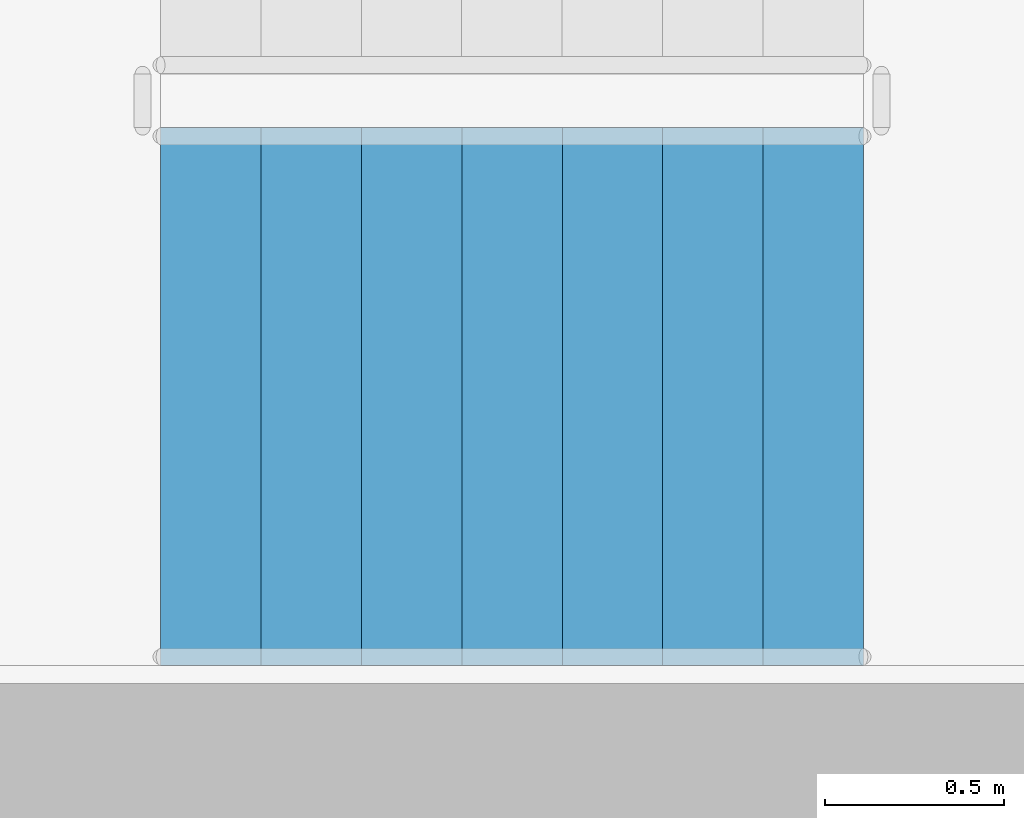
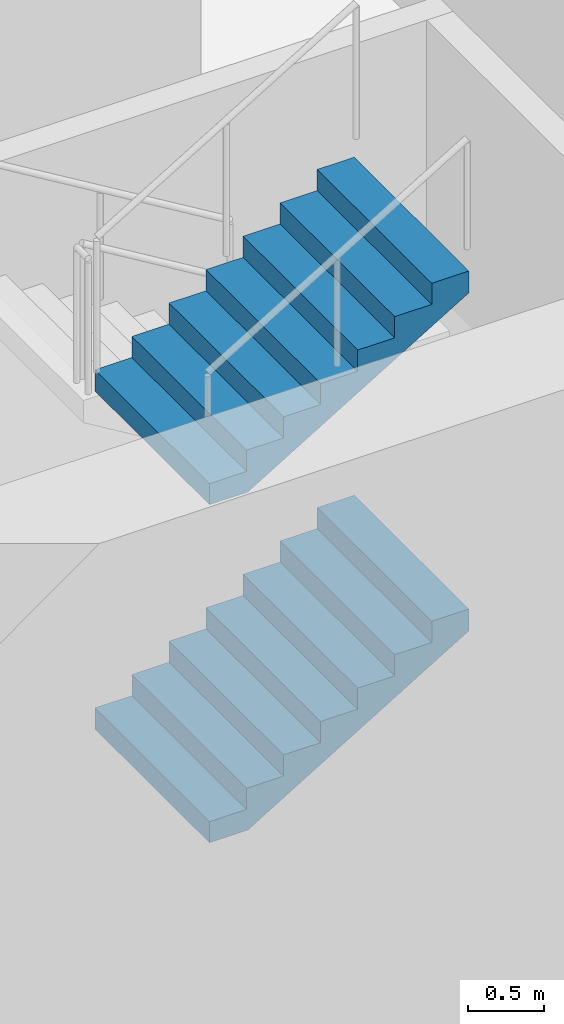
# One storey, part 57 of 101: 2 stair flights, 1 element without a shape of its own.
"""IFC4 building model written with IfcOpenShell, lengths in metres."""

from ifc_helpers import new_model, si_unit, direction, frame, origin, place, context, subcontext, project, spatial, triangles, material, type_object, element, aggregate, save


model = new_model("IFC4")

# Units and contexts
model_context = context("Model", 3, precision=1e-05, world=origin(), true_north=direction((0.0, 1.0)))
body_context = subcontext(model_context, "Body", "Model", "MODEL_VIEW")
ifc_project = project(units=[si_unit("LENGTHUNIT", "METRE"), si_unit("AREAUNIT", "SQUARE_METRE"), si_unit("VOLUMEUNIT", "CUBIC_METRE"), si_unit("PLANEANGLEUNIT", "RADIAN"), si_unit("MASSUNIT", "GRAM", prefix="KILO")], contexts=[model_context])

# Site, building, storey
site_placement = place(None, origin())
site = spatial("IfcSite", under=ifc_project, at=site_placement, CompositionType="ELEMENT")
building_placement = place(site_placement, origin())
building = spatial("IfcBuilding", under=site, at=building_placement, Name="Magnolia Steps Interchange", CompositionType="ELEMENT")
storey_placement = place(building_placement, frame((0.0, 0.0, -5.39990234375)))
storey = spatial("IfcBuildingStorey", under=building, at=storey_placement, Name="B1", CompositionType="ELEMENT", Elevation=-5.39990234375)

# Stair, stair flights
ifc_material_1 = material(Name="Concrete C40", Category="concrete")
stair_type = type_object("IfcStairType", Name="Exit stair 1500", PredefinedType="HALF_TURN_STAIR", material=ifc_material_1)
stair_placement = place(storey_placement, origin())
stair = element("IfcStair", 1, at=stair_placement, inside=storey, type_object=stair_type, Name="B1 Stair 1", PredefinedType="HALF_TURN_STAIR")
ifc_material_2 = material(Name="Concrete C40", Category="concrete")
stair_flight_type = type_object("IfcStairFlightType", Name="Exit stair flight", PredefinedType="STRAIGHT", material=ifc_material_2)
stair_flight_1_placement = place(storey_placement, frame((57.0400390625, 76.050048828125, 1.349853515625), z_axis=(0.0, 0.0, 1.0), x_axis=(1.0, 0.0, 0.0)))
stair_flight_1 = element("IfcStairFlight", 2, at=stair_flight_1_placement, type_object=stair_flight_type, Name="Stair 1 flight 2", NumberOfRisers=8, NumberOfTreads=7, PredefinedType="STRAIGHT", RiserHeight=0.16875, TreadLength=0.28, context=body_context, shape_type="Tessellation", body=[
    triangles([(0.0, -0.75, 0.0), (0.29052734375, -0.75, 0.0), (1.9599609375, -0.75, 1.00634765625), (1.9599609375, -0.75, 1.18115234375), (1.679931640625, -0.75, 1.18115234375), (1.679931640625, -0.75, 1.012451171875), (1.39990234375, -0.75, 1.012451171875), (1.39990234375, -0.75, 0.84375), (1.1201171875, -0.75, 0.84375), (1.1201171875, -0.75, 0.675048828125), (0.840087890625, -0.75, 0.675048828125), (0.840087890625, -0.75, 0.50634765625), (0.56005859375, -0.75, 0.50634765625), (0.56005859375, -0.75, 0.33740234375), (0.280029296875, -0.75, 0.33740234375), (0.280029296875, -0.75, 0.168701171875), (0.0, -0.75, 0.168701171875), (0.0, 0.75, 0.0), (0.29052734375, 0.75, 0.0), (1.9599609375, 0.75, 1.00634765625), (1.9599609375, 0.75, 1.18115234375), (1.679931640625, 0.75, 1.18115234375), (1.679931640625, 0.75, 1.012451171875), (1.39990234375, 0.75, 1.012451171875), (1.39990234375, 0.75, 0.84375), (1.1201171875, 0.75, 0.84375), (1.1201171875, 0.75, 0.675048828125), (0.840087890625, 0.75, 0.675048828125), (0.840087890625, 0.75, 0.50634765625), (0.56005859375, 0.75, 0.50634765625), (0.56005859375, 0.75, 0.33740234375), (0.280029296875, 0.75, 0.33740234375), (0.280029296875, 0.75, 0.168701171875), (0.0, 0.75, 0.168701171875), (0.0, 0.0, 0.0), (0.0, 0.0, 0.04217529296875), (0.0, 0.0, 0.0843505859375), (0.0, 0.0, 0.12652587890625), (0.0, 0.0, 0.168701171875), (0.0, -0.05, 0.0), (0.0, -0.05, 0.168701171875), (0.0, 0.05, 0.0), (0.0, 0.05, 0.168701171875), (0.046671549479166664, 0.0, 0.168701171875), (0.09334309895833333, 0.0, 0.168701171875), (0.1400146484375, 0.0, 0.168701171875), (0.18668619791666666, 0.0, 0.168701171875), (0.23335774739583334, 0.0, 0.168701171875), (0.280029296875, 0.0, 0.168701171875), (0.280029296875, -0.05, 0.168701171875), (0.280029296875, 0.05, 0.168701171875), (0.280029296875, 0.0, 0.21087646484375), (0.280029296875, 0.0, 0.2530517578125), (0.280029296875, 0.0, 0.29522705078125), (0.280029296875, 0.0, 0.33740234375), (0.280029296875, -0.05, 0.33740234375), (0.280029296875, 0.05, 0.33740234375), (0.3267008463541667, 0.0, 0.33740234375), (0.3733723958333333, 0.0, 0.33740234375), (0.4200439453125, 0.0, 0.33740234375), (0.46671549479166663, 0.0, 0.33740234375), (0.5133870442708334, 0.0, 0.33740234375), (0.56005859375, 0.0, 0.33740234375), (0.56005859375, -0.05, 0.33740234375), (0.56005859375, 0.05, 0.33740234375), (0.56005859375, 0.0, 0.379638671875), (0.56005859375, 0.0, 0.421875), (0.56005859375, 0.0, 0.464111328125), (0.56005859375, 0.0, 0.50634765625), (0.56005859375, -0.05, 0.50634765625), (0.56005859375, 0.05, 0.50634765625), (0.6067301432291666, 0.0, 0.50634765625), (0.6534016927083334, 0.0, 0.50634765625), (0.7000732421875, 0.0, 0.50634765625), (0.7467447916666666, 0.0, 0.50634765625), (0.7934163411458334, 0.0, 0.50634765625), (0.840087890625, 0.0, 0.50634765625), (0.840087890625, -0.05, 0.50634765625), (0.840087890625, 0.05, 0.50634765625), (0.840087890625, 0.0, 0.54852294921875), (0.840087890625, 0.0, 0.5906982421875), (0.840087890625, 0.0, 0.63287353515625), (0.840087890625, 0.0, 0.675048828125), (0.840087890625, -0.05, 0.675048828125), (0.840087890625, 0.05, 0.675048828125), (0.8867594401041666, 0.0, 0.675048828125), (0.9334309895833334, 0.0, 0.675048828125), (0.9801025390625, 0.0, 0.675048828125), (1.0267740885416667, 0.0, 0.675048828125), (1.0734456380208333, 0.0, 0.675048828125), (1.1201171875, 0.0, 0.675048828125), (1.1201171875, -0.05, 0.675048828125), (1.1201171875, 0.05, 0.675048828125), (1.1201171875, 0.0, 0.71722412109375), (1.1201171875, 0.0, 0.7593994140625), (1.1201171875, 0.0, 0.80157470703125), (1.1201171875, 0.0, 0.84375), (1.1201171875, -0.05, 0.84375), (1.1201171875, 0.05, 0.84375), (1.1900634765625, 0.0, 0.84375), (1.260009765625, 0.0, 0.84375), (1.3299560546875, 0.0, 0.84375), (1.39990234375, 0.0, 0.84375), (1.39990234375, -0.05, 0.84375), (1.39990234375, 0.05, 0.84375), (1.39990234375, 0.0, 0.88592529296875), (1.39990234375, 0.0, 0.9281005859375), (1.39990234375, 0.0, 0.97027587890625), (1.39990234375, 0.0, 1.012451171875), (1.39990234375, -0.05, 1.012451171875), (1.39990234375, 0.05, 1.012451171875), (1.4465738932291667, 0.0, 1.012451171875), (1.4932454427083333, 0.0, 1.012451171875), (1.5399169921875, 0.0, 1.012451171875), (1.5865885416666667, 0.0, 1.012451171875), (1.6332600911458333, 0.0, 1.012451171875), (1.679931640625, 0.0, 1.012451171875), (1.679931640625, -0.05, 1.012451171875), (1.679931640625, 0.05, 1.012451171875), (1.679931640625, 0.0, 1.05462646484375), (1.679931640625, 0.0, 1.0968017578125), (1.679931640625, 0.0, 1.13897705078125), (1.679931640625, 0.0, 1.18115234375), (1.679931640625, -0.05, 1.18115234375), (1.679931640625, 0.05, 1.18115234375), (1.7266031901041667, 0.0, 1.18115234375), (1.7732747395833333, 0.0, 1.18115234375), (1.8199462890625, 0.0, 1.18115234375), (1.8666178385416667, 0.0, 1.18115234375), (1.9132893880208333, 0.0, 1.18115234375), (1.9599609375, 0.0, 1.18115234375), (1.9599609375, -0.05, 1.18115234375), (1.9599609375, 0.05, 1.18115234375), (1.9599609375, 0.0, 1.137451171875), (1.9599609375, 0.0, 1.09375), (1.9599609375, 0.0, 1.050048828125), (1.9599609375, 0.0, 1.00634765625), (1.9599609375, -0.05, 1.00634765625), (1.9599609375, 0.05, 1.00634765625), (1.9003383091517858, 0.0, 0.9704066685267857), (1.8407156808035714, 0.0, 0.9344656808035714), (1.7810930524553572, 0.0, 0.8985246930803571), (1.7214704241071428, 0.0, 0.8625837053571428), (1.6618477957589286, 0.0, 0.8266427176339286), (1.6022251674107144, 0.0, 0.7907017299107143), (1.5426025390625, 0.0, 0.7547607421875), (1.4829799107142856, 0.0, 0.7188197544642857), (1.4233572823660714, 0.0, 0.6828787667410714), (1.3637346540178572, 0.0, 0.6469377790178572), (1.3041120256696428, 0.0, 0.6109967912946428), (1.2444893973214286, 0.0, 0.5750558035714286), (1.1848667689732144, 0.0, 0.5391148158482143), (1.125244140625, 0.0, 0.503173828125), (1.0656215122767856, 0.0, 0.4672328404017857), (1.0059988839285714, 0.0, 0.4312918526785714), (0.9463762555803572, 0.0, 0.3953508649553571), (0.8867536272321428, 0.0, 0.3594098772321429), (0.8271309988839286, 0.0, 0.3234688895089286), (0.7675083705357142, 0.0, 0.2875279017857143), (0.7078857421875, 0.0, 0.2515869140625), (0.6482631138392858, 0.0, 0.2156459263392857), (0.5886404854910714, 0.0, 0.1797049386160714), (0.5290178571428572, 0.0, 0.1437639508928571), (0.4693952287946428, 0.0, 0.1078229631696429), (0.4097726004464286, 0.0, 0.0718819754464286), (0.3501499720982142, 0.0, 0.0359409877232143), (0.29052734375, 0.0, 0.0), (0.29052734375, -0.05, 0.0), (0.29052734375, 0.05, 0.0), (0.24210611979166666, 0.0, 0.0), (0.19368489583333331, 0.0, 0.0), (0.145263671875, 0.0, 0.0), (0.09684244791666666, 0.0, 0.0), (0.04842122395833334, 0.0, 0.0)], [[1, 2, 3], [3, 4, 5], [3, 5, 6], [3, 6, 7], [3, 7, 8], [8, 9, 10], [3, 8, 10], [10, 11, 12], [3, 10, 12], [12, 13, 14], [3, 12, 14], [14, 15, 16], [3, 14, 16], [1, 3, 16], [16, 17, 1], [18, 20, 19], [20, 22, 21], [20, 23, 22], [20, 24, 23], [20, 25, 24], [25, 27, 26], [20, 27, 25], [27, 29, 28], [20, 29, 27], [29, 31, 30], [20, 31, 29], [31, 33, 32], [20, 33, 31], [18, 33, 20], [33, 18, 34], [1, 17, 41], [1, 41, 40], [40, 36, 35], [40, 37, 36], [40, 41, 37], [41, 38, 37], [41, 39, 38], [18, 43, 34], [18, 42, 43], [42, 35, 36], [42, 36, 37], [42, 37, 43], [43, 37, 38], [43, 38, 39], [17, 16, 50], [17, 50, 41], [41, 44, 39], [41, 45, 44], [41, 46, 45], [41, 50, 46], [50, 47, 46], [50, 48, 47], [50, 49, 48], [34, 51, 33], [34, 43, 51], [43, 39, 44], [43, 44, 45], [43, 45, 46], [43, 46, 51], [51, 46, 47], [51, 47, 48], [51, 48, 49], [16, 15, 56], [16, 56, 50], [50, 52, 49], [50, 53, 52], [50, 56, 53], [56, 54, 53], [56, 55, 54], [33, 57, 32], [33, 51, 57], [51, 49, 52], [51, 52, 53], [51, 53, 57], [57, 53, 54], [57, 54, 55], [15, 14, 64], [15, 64, 56], [56, 58, 55], [56, 59, 58], [56, 60, 59], [56, 64, 60], [64, 61, 60], [64, 62, 61], [64, 63, 62], [32, 65, 31], [32, 57, 65], [57, 55, 58], [57, 58, 59], [57, 59, 60], [57, 60, 65], [65, 60, 61], [65, 61, 62], [65, 62, 63], [14, 13, 70], [14, 70, 64], [64, 66, 63], [64, 67, 66], [64, 70, 67], [70, 68, 67], [70, 69, 68], [31, 71, 30], [31, 65, 71], [65, 63, 66], [65, 66, 67], [65, 67, 71], [71, 67, 68], [71, 68, 69], [13, 12, 78], [13, 78, 70], [70, 72, 69], [70, 73, 72], [70, 74, 73], [70, 78, 74], [78, 75, 74], [78, 76, 75], [78, 77, 76], [30, 79, 29], [30, 71, 79], [71, 69, 72], [71, 72, 73], [71, 73, 74], [71, 74, 79], [79, 74, 75], [79, 75, 76], [79, 76, 77], [12, 11, 84], [12, 84, 78], [78, 80, 77], [78, 81, 80], [78, 84, 81], [84, 82, 81], [84, 83, 82], [29, 85, 28], [29, 79, 85], [79, 77, 80], [79, 80, 81], [79, 81, 85], [85, 81, 82], [85, 82, 83], [11, 10, 92], [11, 92, 84], [84, 86, 83], [84, 87, 86], [84, 88, 87], [84, 92, 88], [92, 89, 88], [92, 90, 89], [92, 91, 90], [28, 93, 27], [28, 85, 93], [85, 83, 86], [85, 86, 87], [85, 87, 88], [85, 88, 93], [93, 88, 89], [93, 89, 90], [93, 90, 91], [10, 9, 98], [10, 98, 92], [92, 94, 91], [92, 95, 94], [92, 98, 95], [98, 96, 95], [98, 97, 96], [27, 99, 26], [27, 93, 99], [93, 91, 94], [93, 94, 95], [93, 95, 99], [99, 95, 96], [99, 96, 97], [9, 8, 104], [9, 104, 98], [98, 100, 97], [98, 101, 100], [98, 104, 101], [104, 102, 101], [104, 103, 102], [26, 105, 25], [26, 99, 105], [99, 97, 100], [99, 100, 101], [99, 101, 105], [105, 101, 102], [105, 102, 103], [8, 7, 110], [8, 110, 104], [104, 106, 103], [104, 107, 106], [104, 110, 107], [110, 108, 107], [110, 109, 108], [25, 111, 24], [25, 105, 111], [105, 103, 106], [105, 106, 107], [105, 107, 111], [111, 107, 108], [111, 108, 109], [7, 6, 118], [7, 118, 110], [110, 112, 109], [110, 113, 112], [110, 114, 113], [110, 118, 114], [118, 115, 114], [118, 116, 115], [118, 117, 116], [24, 119, 23], [24, 111, 119], [111, 109, 112], [111, 112, 113], [111, 113, 114], [111, 114, 119], [119, 114, 115], [119, 115, 116], [119, 116, 117], [6, 5, 124], [6, 124, 118], [118, 120, 117], [118, 121, 120], [118, 124, 121], [124, 122, 121], [124, 123, 122], [23, 125, 22], [23, 119, 125], [119, 117, 120], [119, 120, 121], [119, 121, 125], [125, 121, 122], [125, 122, 123], [5, 4, 132], [5, 132, 124], [124, 126, 123], [124, 127, 126], [124, 128, 127], [124, 132, 128], [132, 129, 128], [132, 130, 129], [132, 131, 130], [22, 133, 21], [22, 125, 133], [125, 123, 126], [125, 126, 127], [125, 127, 128], [125, 128, 133], [133, 128, 129], [133, 129, 130], [133, 130, 131], [4, 3, 138], [4, 138, 132], [132, 134, 131], [132, 135, 134], [132, 138, 135], [138, 136, 135], [138, 137, 136], [21, 139, 20], [21, 133, 139], [133, 131, 134], [133, 134, 135], [133, 135, 139], [139, 135, 136], [139, 136, 137], [3, 2, 168], [3, 168, 138], [138, 140, 137], [138, 141, 140], [138, 142, 141], [138, 143, 142], [138, 144, 143], [138, 145, 144], [138, 146, 145], [138, 147, 146], [138, 148, 147], [138, 149, 148], [138, 150, 149], [138, 151, 150], [138, 152, 151], [138, 153, 152], [138, 168, 153], [168, 154, 153], [168, 155, 154], [168, 156, 155], [168, 157, 156], [168, 158, 157], [168, 159, 158], [168, 160, 159], [168, 161, 160], [168, 162, 161], [168, 163, 162], [168, 164, 163], [168, 165, 164], [168, 166, 165], [168, 167, 166], [20, 169, 19], [20, 139, 169], [139, 137, 140], [139, 140, 141], [139, 141, 142], [139, 142, 143], [139, 143, 144], [139, 144, 145], [139, 145, 146], [139, 146, 147], [139, 147, 148], [139, 148, 149], [139, 149, 150], [139, 150, 151], [139, 151, 152], [139, 152, 153], [139, 153, 169], [169, 153, 154], [169, 154, 155], [169, 155, 156], [169, 156, 157], [169, 157, 158], [169, 158, 159], [169, 159, 160], [169, 160, 161], [169, 161, 162], [169, 162, 163], [169, 163, 164], [169, 164, 165], [169, 165, 166], [169, 166, 167], [2, 1, 40], [2, 40, 168], [168, 170, 167], [168, 171, 170], [168, 172, 171], [168, 40, 172], [40, 173, 172], [40, 174, 173], [40, 35, 174], [19, 42, 18], [19, 169, 42], [169, 167, 170], [169, 170, 171], [169, 171, 172], [169, 172, 42], [42, 172, 173], [42, 173, 174], [42, 174, 35]], closed=True),
])
stair_flight_2_placement = place(storey_placement, frame((57.0400390625, 76.050048828125, 4.0498046875), z_axis=(0.0, 0.0, 1.0), x_axis=(1.0, 0.0, 0.0)))
stair_flight_2 = element("IfcStairFlight", 3, at=stair_flight_2_placement, type_object=stair_flight_type, Name="Stair 1 flight 4", NumberOfRisers=8, NumberOfTreads=7, PredefinedType="STRAIGHT", RiserHeight=0.16875, TreadLength=0.28, context=body_context, shape_type="Tessellation", body=[
    triangles([(0.0, -0.75, 0.0), (0.29052734375, -0.75, 0.0), (1.9599609375, -0.75, 1.00634765625), (1.9599609375, -0.75, 1.18115234375), (1.679931640625, -0.75, 1.18115234375), (1.679931640625, -0.75, 1.012451171875), (1.39990234375, -0.75, 1.012451171875), (1.39990234375, -0.75, 0.84375), (1.1201171875, -0.75, 0.84375), (1.1201171875, -0.75, 0.675048828125), (0.840087890625, -0.75, 0.675048828125), (0.840087890625, -0.75, 0.50634765625), (0.56005859375, -0.75, 0.50634765625), (0.56005859375, -0.75, 0.33740234375), (0.280029296875, -0.75, 0.33740234375), (0.280029296875, -0.75, 0.168701171875), (0.0, -0.75, 0.168701171875), (0.0, 0.75, 0.0), (0.29052734375, 0.75, 0.0), (1.9599609375, 0.75, 1.00634765625), (1.9599609375, 0.75, 1.18115234375), (1.679931640625, 0.75, 1.18115234375), (1.679931640625, 0.75, 1.012451171875), (1.39990234375, 0.75, 1.012451171875), (1.39990234375, 0.75, 0.84375), (1.1201171875, 0.75, 0.84375), (1.1201171875, 0.75, 0.675048828125), (0.840087890625, 0.75, 0.675048828125), (0.840087890625, 0.75, 0.50634765625), (0.56005859375, 0.75, 0.50634765625), (0.56005859375, 0.75, 0.33740234375), (0.280029296875, 0.75, 0.33740234375), (0.280029296875, 0.75, 0.168701171875), (0.0, 0.75, 0.168701171875), (0.0, 0.0, 0.0), (0.0, 0.0, 0.04217529296875), (0.0, 0.0, 0.0843505859375), (0.0, 0.0, 0.12652587890625), (0.0, 0.0, 0.168701171875), (0.0, -0.05, 0.0), (0.0, -0.05, 0.168701171875), (0.0, 0.05, 0.0), (0.0, 0.05, 0.168701171875), (0.046671549479166664, 0.0, 0.168701171875), (0.09334309895833333, 0.0, 0.168701171875), (0.1400146484375, 0.0, 0.168701171875), (0.18668619791666666, 0.0, 0.168701171875), (0.23335774739583334, 0.0, 0.168701171875), (0.280029296875, 0.0, 0.168701171875), (0.280029296875, -0.05, 0.168701171875), (0.280029296875, 0.05, 0.168701171875), (0.280029296875, 0.0, 0.21087646484375), (0.280029296875, 0.0, 0.2530517578125), (0.280029296875, 0.0, 0.29522705078125), (0.280029296875, 0.0, 0.33740234375), (0.280029296875, -0.05, 0.33740234375), (0.280029296875, 0.05, 0.33740234375), (0.3267008463541667, 0.0, 0.33740234375), (0.3733723958333333, 0.0, 0.33740234375), (0.4200439453125, 0.0, 0.33740234375), (0.46671549479166663, 0.0, 0.33740234375), (0.5133870442708334, 0.0, 0.33740234375), (0.56005859375, 0.0, 0.33740234375), (0.56005859375, -0.05, 0.33740234375), (0.56005859375, 0.05, 0.33740234375), (0.56005859375, 0.0, 0.379638671875), (0.56005859375, 0.0, 0.421875), (0.56005859375, 0.0, 0.464111328125), (0.56005859375, 0.0, 0.50634765625), (0.56005859375, -0.05, 0.50634765625), (0.56005859375, 0.05, 0.50634765625), (0.6067301432291666, 0.0, 0.50634765625), (0.6534016927083334, 0.0, 0.50634765625), (0.7000732421875, 0.0, 0.50634765625), (0.7467447916666666, 0.0, 0.50634765625), (0.7934163411458334, 0.0, 0.50634765625), (0.840087890625, 0.0, 0.50634765625), (0.840087890625, -0.05, 0.50634765625), (0.840087890625, 0.05, 0.50634765625), (0.840087890625, 0.0, 0.54852294921875), (0.840087890625, 0.0, 0.5906982421875), (0.840087890625, 0.0, 0.63287353515625), (0.840087890625, 0.0, 0.675048828125), (0.840087890625, -0.05, 0.675048828125), (0.840087890625, 0.05, 0.675048828125), (0.8867594401041666, 0.0, 0.675048828125), (0.9334309895833334, 0.0, 0.675048828125), (0.9801025390625, 0.0, 0.675048828125), (1.0267740885416667, 0.0, 0.675048828125), (1.0734456380208333, 0.0, 0.675048828125), (1.1201171875, 0.0, 0.675048828125), (1.1201171875, -0.05, 0.675048828125), (1.1201171875, 0.05, 0.675048828125), (1.1201171875, 0.0, 0.71722412109375), (1.1201171875, 0.0, 0.7593994140625), (1.1201171875, 0.0, 0.80157470703125), (1.1201171875, 0.0, 0.84375), (1.1201171875, -0.05, 0.84375), (1.1201171875, 0.05, 0.84375), (1.1900634765625, 0.0, 0.84375), (1.260009765625, 0.0, 0.84375), (1.3299560546875, 0.0, 0.84375), (1.39990234375, 0.0, 0.84375), (1.39990234375, -0.05, 0.84375), (1.39990234375, 0.05, 0.84375), (1.39990234375, 0.0, 0.88592529296875), (1.39990234375, 0.0, 0.9281005859375), (1.39990234375, 0.0, 0.97027587890625), (1.39990234375, 0.0, 1.012451171875), (1.39990234375, -0.05, 1.012451171875), (1.39990234375, 0.05, 1.012451171875), (1.4465738932291667, 0.0, 1.012451171875), (1.4932454427083333, 0.0, 1.012451171875), (1.5399169921875, 0.0, 1.012451171875), (1.5865885416666667, 0.0, 1.012451171875), (1.6332600911458333, 0.0, 1.012451171875), (1.679931640625, 0.0, 1.012451171875), (1.679931640625, -0.05, 1.012451171875), (1.679931640625, 0.05, 1.012451171875), (1.679931640625, 0.0, 1.05462646484375), (1.679931640625, 0.0, 1.0968017578125), (1.679931640625, 0.0, 1.13897705078125), (1.679931640625, 0.0, 1.18115234375), (1.679931640625, -0.05, 1.18115234375), (1.679931640625, 0.05, 1.18115234375), (1.7266031901041667, 0.0, 1.18115234375), (1.7732747395833333, 0.0, 1.18115234375), (1.8199462890625, 0.0, 1.18115234375), (1.8666178385416667, 0.0, 1.18115234375), (1.9132893880208333, 0.0, 1.18115234375), (1.9599609375, 0.0, 1.18115234375), (1.9599609375, -0.05, 1.18115234375), (1.9599609375, 0.05, 1.18115234375), (1.9599609375, 0.0, 1.137451171875), (1.9599609375, 0.0, 1.09375), (1.9599609375, 0.0, 1.050048828125), (1.9599609375, 0.0, 1.00634765625), (1.9599609375, -0.05, 1.00634765625), (1.9599609375, 0.05, 1.00634765625), (1.9003383091517858, 0.0, 0.9704066685267857), (1.8407156808035714, 0.0, 0.9344656808035714), (1.7810930524553572, 0.0, 0.8985246930803571), (1.7214704241071428, 0.0, 0.8625837053571428), (1.6618477957589286, 0.0, 0.8266427176339286), (1.6022251674107144, 0.0, 0.7907017299107143), (1.5426025390625, 0.0, 0.7547607421875), (1.4829799107142856, 0.0, 0.7188197544642857), (1.4233572823660714, 0.0, 0.6828787667410714), (1.3637346540178572, 0.0, 0.6469377790178572), (1.3041120256696428, 0.0, 0.6109967912946428), (1.2444893973214286, 0.0, 0.5750558035714286), (1.1848667689732144, 0.0, 0.5391148158482143), (1.125244140625, 0.0, 0.503173828125), (1.0656215122767856, 0.0, 0.4672328404017857), (1.0059988839285714, 0.0, 0.4312918526785714), (0.9463762555803572, 0.0, 0.3953508649553571), (0.8867536272321428, 0.0, 0.3594098772321429), (0.8271309988839286, 0.0, 0.3234688895089286), (0.7675083705357142, 0.0, 0.2875279017857143), (0.7078857421875, 0.0, 0.2515869140625), (0.6482631138392858, 0.0, 0.2156459263392857), (0.5886404854910714, 0.0, 0.1797049386160714), (0.5290178571428572, 0.0, 0.1437639508928571), (0.4693952287946428, 0.0, 0.1078229631696429), (0.4097726004464286, 0.0, 0.0718819754464286), (0.3501499720982142, 0.0, 0.0359409877232143), (0.29052734375, 0.0, 0.0), (0.29052734375, -0.05, 0.0), (0.29052734375, 0.05, 0.0), (0.24210611979166666, 0.0, 0.0), (0.19368489583333331, 0.0, 0.0), (0.145263671875, 0.0, 0.0), (0.09684244791666666, 0.0, 0.0), (0.04842122395833334, 0.0, 0.0)], [[1, 2, 3], [3, 4, 5], [3, 5, 6], [3, 6, 7], [3, 7, 8], [8, 9, 10], [3, 8, 10], [10, 11, 12], [3, 10, 12], [12, 13, 14], [3, 12, 14], [14, 15, 16], [3, 14, 16], [1, 3, 16], [16, 17, 1], [18, 20, 19], [20, 22, 21], [20, 23, 22], [20, 24, 23], [20, 25, 24], [25, 27, 26], [20, 27, 25], [27, 29, 28], [20, 29, 27], [29, 31, 30], [20, 31, 29], [31, 33, 32], [20, 33, 31], [18, 33, 20], [33, 18, 34], [1, 17, 41], [1, 41, 40], [40, 36, 35], [40, 37, 36], [40, 41, 37], [41, 38, 37], [41, 39, 38], [18, 43, 34], [18, 42, 43], [42, 35, 36], [42, 36, 37], [42, 37, 43], [43, 37, 38], [43, 38, 39], [17, 16, 50], [17, 50, 41], [41, 44, 39], [41, 45, 44], [41, 46, 45], [41, 50, 46], [50, 47, 46], [50, 48, 47], [50, 49, 48], [34, 51, 33], [34, 43, 51], [43, 39, 44], [43, 44, 45], [43, 45, 46], [43, 46, 51], [51, 46, 47], [51, 47, 48], [51, 48, 49], [16, 15, 56], [16, 56, 50], [50, 52, 49], [50, 53, 52], [50, 56, 53], [56, 54, 53], [56, 55, 54], [33, 57, 32], [33, 51, 57], [51, 49, 52], [51, 52, 53], [51, 53, 57], [57, 53, 54], [57, 54, 55], [15, 14, 64], [15, 64, 56], [56, 58, 55], [56, 59, 58], [56, 60, 59], [56, 64, 60], [64, 61, 60], [64, 62, 61], [64, 63, 62], [32, 65, 31], [32, 57, 65], [57, 55, 58], [57, 58, 59], [57, 59, 60], [57, 60, 65], [65, 60, 61], [65, 61, 62], [65, 62, 63], [14, 13, 70], [14, 70, 64], [64, 66, 63], [64, 67, 66], [64, 70, 67], [70, 68, 67], [70, 69, 68], [31, 71, 30], [31, 65, 71], [65, 63, 66], [65, 66, 67], [65, 67, 71], [71, 67, 68], [71, 68, 69], [13, 12, 78], [13, 78, 70], [70, 72, 69], [70, 73, 72], [70, 74, 73], [70, 78, 74], [78, 75, 74], [78, 76, 75], [78, 77, 76], [30, 79, 29], [30, 71, 79], [71, 69, 72], [71, 72, 73], [71, 73, 74], [71, 74, 79], [79, 74, 75], [79, 75, 76], [79, 76, 77], [12, 11, 84], [12, 84, 78], [78, 80, 77], [78, 81, 80], [78, 84, 81], [84, 82, 81], [84, 83, 82], [29, 85, 28], [29, 79, 85], [79, 77, 80], [79, 80, 81], [79, 81, 85], [85, 81, 82], [85, 82, 83], [11, 10, 92], [11, 92, 84], [84, 86, 83], [84, 87, 86], [84, 88, 87], [84, 92, 88], [92, 89, 88], [92, 90, 89], [92, 91, 90], [28, 93, 27], [28, 85, 93], [85, 83, 86], [85, 86, 87], [85, 87, 88], [85, 88, 93], [93, 88, 89], [93, 89, 90], [93, 90, 91], [10, 9, 98], [10, 98, 92], [92, 94, 91], [92, 95, 94], [92, 98, 95], [98, 96, 95], [98, 97, 96], [27, 99, 26], [27, 93, 99], [93, 91, 94], [93, 94, 95], [93, 95, 99], [99, 95, 96], [99, 96, 97], [9, 8, 104], [9, 104, 98], [98, 100, 97], [98, 101, 100], [98, 104, 101], [104, 102, 101], [104, 103, 102], [26, 105, 25], [26, 99, 105], [99, 97, 100], [99, 100, 101], [99, 101, 105], [105, 101, 102], [105, 102, 103], [8, 7, 110], [8, 110, 104], [104, 106, 103], [104, 107, 106], [104, 110, 107], [110, 108, 107], [110, 109, 108], [25, 111, 24], [25, 105, 111], [105, 103, 106], [105, 106, 107], [105, 107, 111], [111, 107, 108], [111, 108, 109], [7, 6, 118], [7, 118, 110], [110, 112, 109], [110, 113, 112], [110, 114, 113], [110, 118, 114], [118, 115, 114], [118, 116, 115], [118, 117, 116], [24, 119, 23], [24, 111, 119], [111, 109, 112], [111, 112, 113], [111, 113, 114], [111, 114, 119], [119, 114, 115], [119, 115, 116], [119, 116, 117], [6, 5, 124], [6, 124, 118], [118, 120, 117], [118, 121, 120], [118, 124, 121], [124, 122, 121], [124, 123, 122], [23, 125, 22], [23, 119, 125], [119, 117, 120], [119, 120, 121], [119, 121, 125], [125, 121, 122], [125, 122, 123], [5, 4, 132], [5, 132, 124], [124, 126, 123], [124, 127, 126], [124, 128, 127], [124, 132, 128], [132, 129, 128], [132, 130, 129], [132, 131, 130], [22, 133, 21], [22, 125, 133], [125, 123, 126], [125, 126, 127], [125, 127, 128], [125, 128, 133], [133, 128, 129], [133, 129, 130], [133, 130, 131], [4, 3, 138], [4, 138, 132], [132, 134, 131], [132, 135, 134], [132, 138, 135], [138, 136, 135], [138, 137, 136], [21, 139, 20], [21, 133, 139], [133, 131, 134], [133, 134, 135], [133, 135, 139], [139, 135, 136], [139, 136, 137], [3, 2, 168], [3, 168, 138], [138, 140, 137], [138, 141, 140], [138, 142, 141], [138, 143, 142], [138, 144, 143], [138, 145, 144], [138, 146, 145], [138, 147, 146], [138, 148, 147], [138, 149, 148], [138, 150, 149], [138, 151, 150], [138, 152, 151], [138, 153, 152], [138, 168, 153], [168, 154, 153], [168, 155, 154], [168, 156, 155], [168, 157, 156], [168, 158, 157], [168, 159, 158], [168, 160, 159], [168, 161, 160], [168, 162, 161], [168, 163, 162], [168, 164, 163], [168, 165, 164], [168, 166, 165], [168, 167, 166], [20, 169, 19], [20, 139, 169], [139, 137, 140], [139, 140, 141], [139, 141, 142], [139, 142, 143], [139, 143, 144], [139, 144, 145], [139, 145, 146], [139, 146, 147], [139, 147, 148], [139, 148, 149], [139, 149, 150], [139, 150, 151], [139, 151, 152], [139, 152, 153], [139, 153, 169], [169, 153, 154], [169, 154, 155], [169, 155, 156], [169, 156, 157], [169, 157, 158], [169, 158, 159], [169, 159, 160], [169, 160, 161], [169, 161, 162], [169, 162, 163], [169, 163, 164], [169, 164, 165], [169, 165, 166], [169, 166, 167], [2, 1, 40], [2, 40, 168], [168, 170, 167], [168, 171, 170], [168, 172, 171], [168, 40, 172], [40, 173, 172], [40, 174, 173], [40, 35, 174], [19, 42, 18], [19, 169, 42], [169, 167, 170], [169, 170, 171], [169, 171, 172], [169, 172, 42], [42, 172, 173], [42, 173, 174], [42, 174, 35]], closed=True),
])
aggregate(stair, [stair_flight_1, stair_flight_2])

save(model, "model.ifc")
